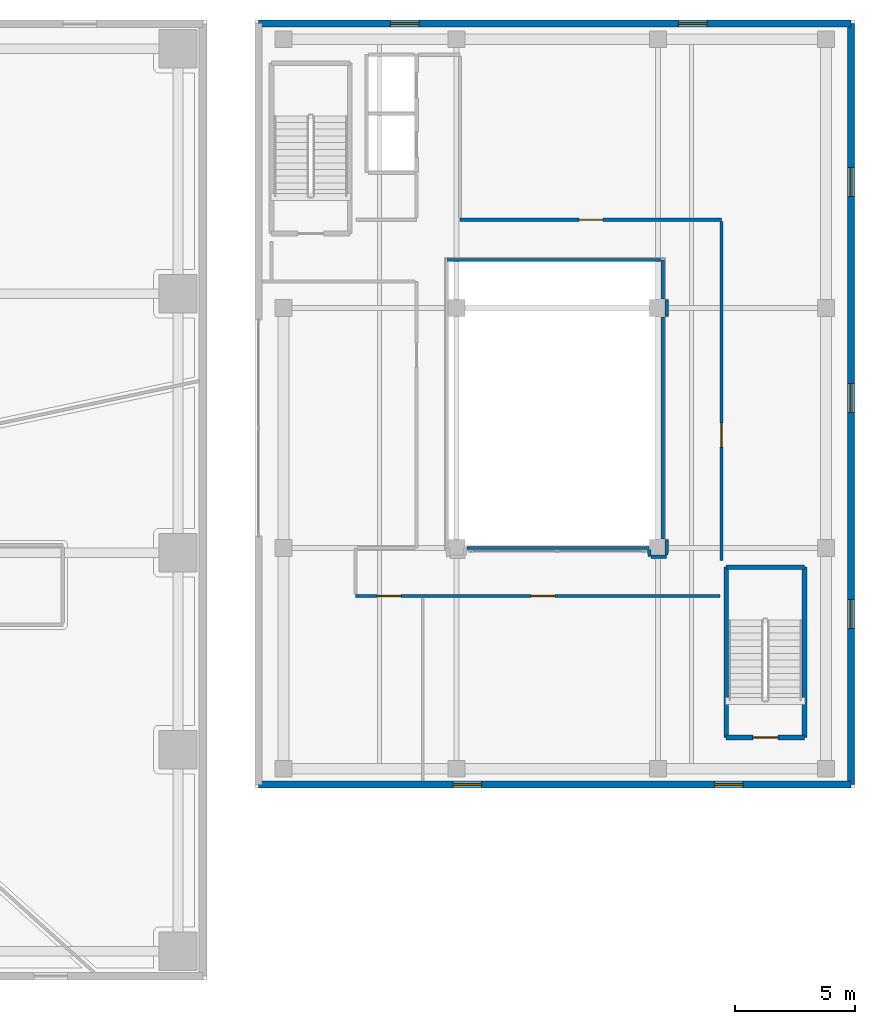
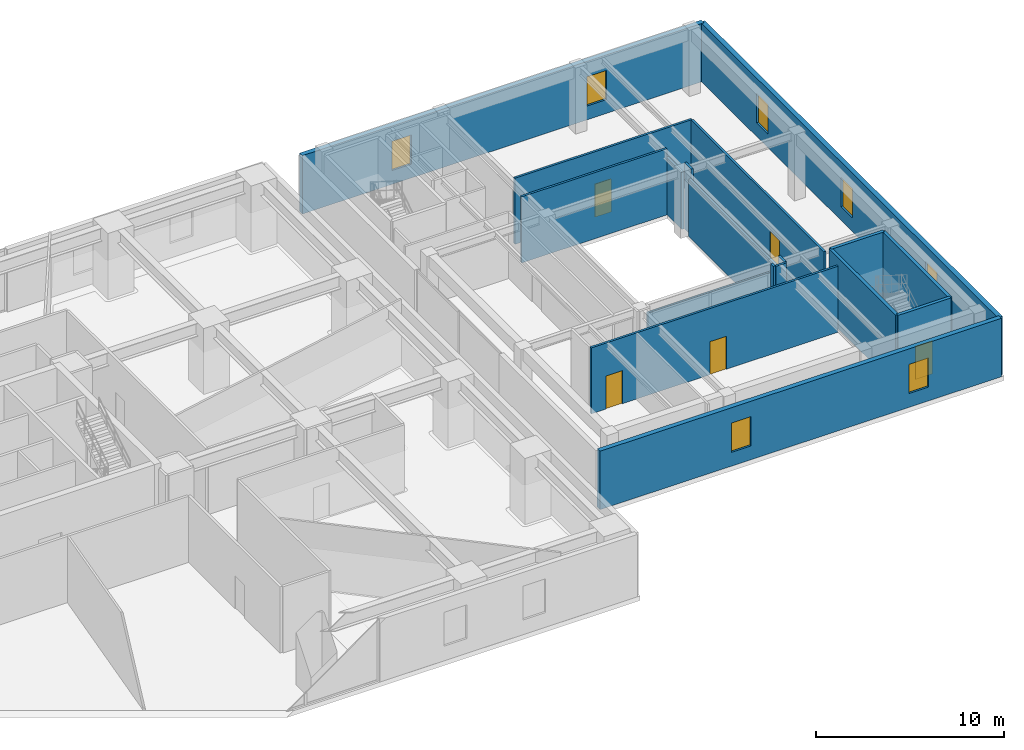
# One storey, part 20 of 24: 18 walls, 7 windows, 5 doors, 12 openings.
"""IFC4 building model written with IfcOpenShell, lengths in metres."""

from ifc_helpers import new_model, si_unit, direction, frame, frame_2d, origin, place, context, subcontext, project, spatial, rectangle, extrude, source, transform, mapped, material, layer, layer_set, type_object, type_shapes, element, fill, save


model = new_model("IFC4")

# Units and contexts
model_context = context("Model", 3, precision=1e-05, world=origin(), true_north=direction((0.0, 1.0)))
body_context = subcontext(model_context, "Body", "Model", "MODEL_VIEW")
ifc_project = project(units=[si_unit("LENGTHUNIT", "METRE"), si_unit("AREAUNIT", "SQUARE_METRE"), si_unit("VOLUMEUNIT", "CUBIC_METRE"), si_unit("PLANEANGLEUNIT", "RADIAN"), si_unit("MASSUNIT", "GRAM", prefix="KILO")], contexts=[model_context])

# Site, building, storey
site_placement = place(None, origin())
site = spatial("IfcSite", under=ifc_project, at=site_placement, CompositionType="ELEMENT")
building_placement = place(site_placement, origin())
building = spatial("IfcBuilding", under=site, at=building_placement, Name="Talar Marvaseh", CompositionType="ELEMENT")
storey_placement = place(building_placement, frame((0.0, 0.0, 9.800048828125)))
storey = spatial("IfcBuildingStorey", under=building, at=storey_placement, Name="L02", CompositionType="ELEMENT", Elevation=9.800048828125)

# Wall, opening, door
ifc_material_1 = material(Name="Gypsum Board Partition Assembly")
ifc_layer_1 = layer(ifc_material_1, 0.135009765625)
ifc_layer_set_1 = layer_set([ifc_layer_1], Name="Gypsum Board Partition Assembly")
wall_type_1 = type_object("IfcWallType", Name="Gallery High-Acoustic Partition 135", PredefinedType="PARTITIONING", material=ifc_layer_set_1)
wall_1_placement = place(storey_placement, frame((62.550048828125, 39.679931640625, 0.0), z_axis=(0.0, 0.0, 1.0), x_axis=(1.0, 0.0, 0.0)))
wall_1 = element("IfcWall", 1, at=wall_1_placement, inside=storey, type_object=wall_type_1, Name="L02 Interior Partition Wall", PredefinedType="PARTITIONING", context=body_context, shape_type="SweptSolid", body=[
    extrude(rectangle(XDim=10.89990234375, YDim=0.135009765625, at=frame_2d((5.449951171875, 0.0))), origin(), (0.0, 0.0, 1.0), 4.300048828125),
])
opening_1_placement = place(wall_1_placement, frame((4.949951171875, 0.0, 0.0)))
opening_1 = element("IfcOpeningElement", 2, at=opening_1_placement, cuts=wall_1, Name="Opening DR-RM100", PredefinedType="OPENING", context=body_context, shape_type="SweptSolid", body=[
    extrude(rectangle(XDim=1.0, YDim=2.14990234375, at=frame_2d((0.5, 1.074951171875))), frame((0.0, 0.07763671875, 0.0), z_axis=(0.0, -1.0, 0.0), x_axis=(1.0, 0.0, 0.0)), (0.0, 0.0, 1.0), 0.155029296875),
])
ifc_material_2 = material(Name="Acoustic Engineered Oak Timber", Category="wood")
door_type_1 = type_object("IfcDoorType", Name="Corridor Fire-Rated Gallery Door 1000x2150", OperationType="NOTDEFINED", PredefinedType="DOOR", material=ifc_material_2)
shared_shape_1 = source(origin(), body_context, "Body", "SweptSolid", [
    extrude(rectangle(XDim=1.0, YDim=2.14990234375, at=frame_2d((0.5, 1.074951171875))), frame((0.0, 0.02490234375, 0.0), z_axis=(0.0, -1.0, 0.0), x_axis=(1.0, 0.0, 0.0)), (0.0, 0.0, 1.0), 0.050048828125),
])
type_shapes(door_type_1, [shared_shape_1])
door_1_placement = place(opening_1_placement, origin())
door_1 = element("IfcDoor", 3, at=door_1_placement, inside=storey, type_object=door_type_1, Name="L02 Market Administration Office Door", OperationType="SINGLE_SWING_LEFT", OverallHeight=2.14990234375, OverallWidth=1.0, PredefinedType="DOOR", context=body_context, shape_type="MappedRepresentation", body=[
    mapped(shared_shape_1, transform((0.0, 0.0, 0.0), x_axis=(1.0, 0.0, 0.0), y_axis=(0.0, 1.0, 0.0), z_axis=(0.0, 0.0, 1.0), scale=1.0)),
])
fill(opening_1, door_1)

wall_2_placement = place(storey_placement, frame((73.449951171875, 39.6064453125, 0.0), z_axis=(0.0, 0.0, 1.0), x_axis=(0.0, -1.0, 0.0)))
wall_2 = element("IfcWall", 4, at=wall_2_placement, inside=storey, type_object=wall_type_1, Name="L02 Interior Partition Wall", PredefinedType="PARTITIONING", context=body_context, shape_type="SweptSolid", body=[
    extrude(rectangle(XDim=14.136474609375, YDim=0.135009765625, at=frame_2d((7.068359375, 0.0))), origin(), (0.0, 0.0, 1.0), 4.300048828125),
])
opening_2_placement = place(wall_2_placement, frame((8.406494140625, 0.0, 0.0)))
opening_2 = element("IfcOpeningElement", 5, at=opening_2_placement, cuts=wall_2, Name="Opening DR-RM100", PredefinedType="OPENING", context=body_context, shape_type="SweptSolid", body=[
    extrude(rectangle(XDim=1.0, YDim=2.14990234375, at=frame_2d((0.5, 1.074951171875))), frame((0.0, 0.07763671875, 0.0), z_axis=(0.0, -1.0, 0.0), x_axis=(1.0, 0.0, 0.0)), (0.0, 0.0, 1.0), 0.155029296875),
])
door_2_placement = place(opening_2_placement, origin())
door_2 = element("IfcDoor", 6, at=door_2_placement, inside=storey, type_object=door_type_1, Name="L02 Persian Culinary Dining Hall Door", OperationType="SINGLE_SWING_RIGHT", OverallHeight=2.14990234375, OverallWidth=1.0, PredefinedType="DOOR", context=body_context, shape_type="MappedRepresentation", body=[
    mapped(shared_shape_1, transform((0.0, 0.0, 0.0), x_axis=(1.0, 0.0, 0.0), y_axis=(0.0, 1.0, 0.0), z_axis=(0.0, 0.0, 1.0), scale=1.0)),
])
fill(opening_2, door_2)

# Wall, openings, doors
wall_3_placement = place(storey_placement, frame((73.3798828125, 24.0, 0.0), z_axis=(0.0, 0.0, 1.0), x_axis=(-1.0, 0.0, 0.0)))
wall_3 = element("IfcWall", 7, at=wall_3_placement, inside=storey, type_object=wall_type_1, Name="L02 Interior Partition Wall", PredefinedType="PARTITIONING", context=body_context, shape_type="SweptSolid", body=[
    extrude(rectangle(XDim=15.179931640625, YDim=0.135009765625, at=frame_2d((7.58984375, 0.0))), origin(), (0.0, 0.0, 1.0), 4.300048828125),
])
opening_3_placement = place(wall_3_placement, frame((13.280029296875, 0.0, 0.0)))
opening_3 = element("IfcOpeningElement", 8, at=opening_3_placement, cuts=wall_3, Name="Opening DR-RM100", PredefinedType="OPENING", context=body_context, shape_type="SweptSolid", body=[
    extrude(rectangle(XDim=1.0, YDim=2.14990234375, at=frame_2d((0.5, 1.074951171875))), frame((0.0, 0.07763671875, 0.0), z_axis=(0.0, -1.0, 0.0), x_axis=(1.0, 0.0, 0.0)), (0.0, 0.0, 1.0), 0.155029296875),
])
opening_4_placement = place(wall_3_placement, frame((6.8798828125, 0.0, 0.0)))
opening_4 = element("IfcOpeningElement", 9, at=opening_4_placement, cuts=wall_3, Name="Opening DR-RM100", PredefinedType="OPENING", context=body_context, shape_type="SweptSolid", body=[
    extrude(rectangle(XDim=1.0, YDim=2.14990234375, at=frame_2d((0.5, 1.074951171875))), frame((0.0, 0.07763671875, 0.0), z_axis=(0.0, -1.0, 0.0), x_axis=(1.0, 0.0, 0.0)), (0.0, 0.0, 1.0), 0.155029296875),
])
door_3_placement = place(opening_3_placement, origin())
door_3 = element("IfcDoor", 10, at=door_3_placement, inside=storey, type_object=door_type_1, Name="L02 Ceramics and Glassware Bazaar Door", OperationType="SINGLE_SWING_LEFT", OverallHeight=2.14990234375, OverallWidth=1.0, PredefinedType="DOOR", context=body_context, shape_type="MappedRepresentation", body=[
    mapped(shared_shape_1, transform((0.0, 0.0, 0.0), x_axis=(1.0, 0.0, 0.0), y_axis=(0.0, 1.0, 0.0), z_axis=(0.0, 0.0, 1.0), scale=1.0)),
])
fill(opening_3, door_3)
door_4_placement = place(opening_4_placement, origin())
door_4 = element("IfcDoor", 11, at=door_4_placement, inside=storey, type_object=door_type_1, Name="L02 Jewelry Artisan Studio Door", OperationType="SINGLE_SWING_RIGHT", OverallHeight=2.14990234375, OverallWidth=1.0, PredefinedType="DOOR", context=body_context, shape_type="MappedRepresentation", body=[
    mapped(shared_shape_1, transform((0.0, 0.0, 0.0), x_axis=(1.0, 0.0, 0.0), y_axis=(0.0, 1.0, 0.0), z_axis=(0.0, 0.0, 1.0), scale=1.0)),
])
fill(opening_4, door_4)

# Walls
wall_4_placement = place(storey_placement, frame((62.83837890625, 26.0, 0.0), z_axis=(0.0, 0.0, 1.0), x_axis=(1.0, 0.0, 0.0)))
element("IfcWall", 12, at=wall_4_placement, inside=storey, type_object=wall_type_1, Name="L02 Interior Partition Wall", PredefinedType="PARTITIONING", context=body_context, shape_type="SweptSolid", body=[
    extrude(rectangle(XDim=7.5966796875, YDim=0.135009765625, at=frame_2d((3.79833984375, 0.0))), origin(), (0.0, 0.0, 1.0), 3.73095703125),
])
wall_5_placement = place(storey_placement, frame((70.4365234375, 25.926513671875, 0.0), z_axis=(0.0, 0.0, 1.0), x_axis=(0.021898706873, -0.999760194565, 0.0)))
element("IfcWall", 13, at=wall_5_placement, inside=storey, type_object=wall_type_1, Name="L02 Interior Partition Wall", PredefinedType="PARTITIONING", context=body_context, shape_type="SweptSolid", body=[
    extrude(rectangle(XDim=0.289794921875, YDim=0.135009765625, at=frame_2d((0.14501953125, 0.0))), origin(), (0.0, 0.0, 1.0), 4.300048828125),
])
for number, where, z_axis, x_axis, name in (
    (14, (70.516357421875, 25.63671875, 0.0), (0.0, 0.0, 1.0), (0.999999348925, 0.001141117553, 0.0), "L02 Interior Partition Wall"),
    (15, (71.158935546875, 25.7109375, 0.0), (0.0, 0.0, 1.0), (0.009128565999, 0.999958333773, 0.0), "L02 Interior Partition Wall"),
):
    element("IfcWall", number, at=place(storey_placement, frame(where, z_axis=z_axis, x_axis=x_axis)), inside=storey, type_object=wall_type_1, Name=name, PredefinedType="PARTITIONING", context=body_context, shape_type="SweptSolid", body=[
        extrude(rectangle(XDim=0.641845703125, YDim=0.135009765625, at=frame_2d((0.32080078125, 0.0))), origin(), (0.0, 0.0, 1.0), 4.300048828125),
    ])
wall_6_placement = place(storey_placement, frame((71.0, 26.364990234375, 0.0), z_axis=(0.0, 0.0, 1.0), x_axis=(0.0, 1.0, 0.0)))
element("IfcWall", 16, at=wall_6_placement, inside=storey, type_object=wall_type_1, Name="L02 Interior Partition Wall", PredefinedType="PARTITIONING", context=body_context, shape_type="SweptSolid", body=[
    extrude(rectangle(XDim=9.27001953125, YDim=0.135009765625, at=frame_2d((4.635009765625, 0.0))), origin(), (0.0, 0.0, 1.0), 3.73095703125),
])
wall_7_placement = place(storey_placement, frame((71.1650390625, 35.64990234375, 0.0), z_axis=(0.0, 0.0, 1.0), x_axis=(-0.000347342806, 0.999999939676, 0.0)))
element("IfcWall", 17, at=wall_7_placement, inside=storey, type_object=wall_type_1, Name="L02 Interior Partition Wall", PredefinedType="PARTITIONING", context=body_context, shape_type="SweptSolid", body=[
    extrude(rectangle(XDim=0.702880859375, YDim=0.135009765625, at=frame_2d((0.3515625, 0.0))), origin(), (0.0, 0.0, 1.0), 4.300048828125),
])
wall_8_placement = place(storey_placement, frame((71.0, 36.364990234375, 0.0), z_axis=(0.0, 0.0, 1.0), x_axis=(0.0, 1.0, 0.0)))
element("IfcWall", 18, at=wall_8_placement, inside=storey, type_object=wall_type_1, Name="L02 Interior Partition Wall", PredefinedType="PARTITIONING", context=body_context, shape_type="SweptSolid", body=[
    extrude(rectangle(XDim=1.635009765625, YDim=0.135009765625, at=frame_2d((0.8173828125, 0.0))), origin(), (0.0, 0.0, 1.0), 3.73095703125),
])
wall_9_placement = place(storey_placement, frame((70.926513671875, 38.0, 0.0), z_axis=(0.0, 0.0, 1.0), x_axis=(-1.0, 0.0, 0.0)))
element("IfcWall", 19, at=wall_9_placement, inside=storey, type_object=wall_type_1, Name="L02 Interior Partition Wall", PredefinedType="PARTITIONING", context=body_context, shape_type="SweptSolid", body=[
    extrude(rectangle(XDim=8.926513671875, YDim=0.135009765625, at=frame_2d((4.46337890625, 0.0))), origin(), (0.0, 0.0, 1.0), 4.300048828125),
])

# Wall, openings, windows
ifc_material_3 = material(Name="Precast concrete C45/55", Category="concrete")
ifc_layer_2 = layer(ifc_material_3, 0.2900390625)
ifc_layer_set_2 = layer_set([ifc_layer_2], Name="Precast concrete C45/55")
wall_type_2 = type_object("IfcWallType", Name="Market Hall Precast Limestone Bazaar Wall 290", PredefinedType="SOLIDWALL", material=ifc_layer_set_2)
wall_10_placement = place(storey_placement, frame((78.85009765625, 16.14990234375, 0.0), z_axis=(0.0, 0.0, 1.0), x_axis=(-1.0, 0.0, 0.0)))
wall_10 = element("IfcWall", 20, at=wall_10_placement, inside=storey, type_object=wall_type_2, Name="L02 Market Hall South Forecourt Wall", PredefinedType="SOLIDWALL", context=body_context, shape_type="SweptSolid", body=[
    extrude(rectangle(XDim=24.7001953125, YDim=0.2900390625, at=frame_2d((12.35009765625, 0.0))), origin(), (0.0, 0.0, 1.0), 3.800048828125),
])
opening_5_placement = place(wall_10_placement, frame((4.5, 0.0, 0.89990234375)))
opening_5 = element("IfcOpeningElement", 21, at=opening_5_placement, cuts=wall_10, Name="Opening WN-MKT12", PredefinedType="OPENING", context=body_context, shape_type="SweptSolid", body=[
    extrude(rectangle(XDim=1.199951171875, YDim=1.89990234375, at=frame_2d((0.60009765625, 0.949951171875))), frame((0.0, 0.155029296875, 0.0), z_axis=(0.0, -1.0, 0.0), x_axis=(1.0, 0.0, 0.0)), (0.0, 0.0, 1.0), 0.31005859375),
])
opening_6_placement = place(wall_10_placement, frame((15.39990234375, 0.0, 0.89990234375)))
opening_6 = element("IfcOpeningElement", 22, at=opening_6_placement, cuts=wall_10, Name="Opening WN-MKT12", PredefinedType="OPENING", context=body_context, shape_type="SweptSolid", body=[
    extrude(rectangle(XDim=1.199951171875, YDim=1.89990234375, at=frame_2d((0.60009765625, 0.949951171875))), frame((0.0, 0.155029296875, 0.0), z_axis=(0.0, -1.0, 0.0), x_axis=(1.0, 0.0, 0.0)), (0.0, 0.0, 1.0), 0.31005859375),
])
ifc_material_4 = material(Name="Laminated Low-E Solar Glass", Category="glass")
window_type = type_object("IfcWindowType", Name="Market Hall Upper Gallery Window 1200x1900", PartitioningType="SINGLE_PANEL", PredefinedType="WINDOW", material=ifc_material_4)
shared_shape_2 = source(origin(), body_context, "Body", "SweptSolid", [
    extrude(rectangle(XDim=1.199951171875, YDim=1.89990234375, at=frame_2d((0.60009765625, 0.949951171875))), frame((0.0, 0.030029296875, 0.0), z_axis=(0.0, -1.0, 0.0), x_axis=(1.0, 0.0, 0.0)), (0.0, 0.0, 1.0), 0.06005859375),
])
type_shapes(window_type, [shared_shape_2])
window_1_placement = place(opening_5_placement, origin())
window_1 = element("IfcWindow", 23, at=window_1_placement, inside=storey, type_object=window_type, Name="L02 Market Bazaar Window", OverallHeight=1.89990234375, OverallWidth=1.199951171875, PartitioningType="SINGLE_PANEL", PredefinedType="WINDOW", context=body_context, shape_type="MappedRepresentation", body=[
    mapped(shared_shape_2, transform((0.0, 0.0, 0.0), x_axis=(1.0, 0.0, 0.0), y_axis=(0.0, 1.0, 0.0), z_axis=(0.0, 0.0, 1.0), scale=1.0)),
])
fill(opening_5, window_1)
window_2_placement = place(opening_6_placement, origin())
window_2 = element("IfcWindow", 24, at=window_2_placement, inside=storey, type_object=window_type, Name="L02 Market Bazaar Window", OverallHeight=1.89990234375, OverallWidth=1.199951171875, PartitioningType="SINGLE_PANEL", PredefinedType="WINDOW", context=body_context, shape_type="MappedRepresentation", body=[
    mapped(shared_shape_2, transform((0.0, 0.0, 0.0), x_axis=(1.0, 0.0, 0.0), y_axis=(0.0, 1.0, 0.0), z_axis=(0.0, 0.0, 1.0), scale=1.0)),
])
fill(opening_6, window_2)

wall_11_placement = place(storey_placement, frame((54.14990234375, 47.85009765625, 0.0), z_axis=(0.0, 0.0, 1.0), x_axis=(1.0, 0.0, 0.0)))
wall_11 = element("IfcWall", 25, at=wall_11_placement, inside=storey, type_object=wall_type_2, Name="L02 Market Hall North Promenade Wall", PredefinedType="SOLIDWALL", context=body_context, shape_type="SweptSolid", body=[
    extrude(rectangle(XDim=24.7001953125, YDim=0.2900390625, at=frame_2d((12.35009765625, 0.0))), origin(), (0.0, 0.0, 1.0), 3.800048828125),
])
opening_7_placement = place(wall_11_placement, frame((5.5, 0.0, 0.89990234375)))
opening_7 = element("IfcOpeningElement", 26, at=opening_7_placement, cuts=wall_11, Name="Opening WN-MKT12", PredefinedType="OPENING", context=body_context, shape_type="SweptSolid", body=[
    extrude(rectangle(XDim=1.199951171875, YDim=1.89990234375, at=frame_2d((0.60009765625, 0.949951171875))), frame((0.0, 0.155029296875, 0.0), z_axis=(0.0, -1.0, 0.0), x_axis=(1.0, 0.0, 0.0)), (0.0, 0.0, 1.0), 0.31005859375),
])
opening_8_placement = place(wall_11_placement, frame((17.5, 0.0, 0.89990234375)))
opening_8 = element("IfcOpeningElement", 27, at=opening_8_placement, cuts=wall_11, Name="Opening WN-MKT12", PredefinedType="OPENING", context=body_context, shape_type="SweptSolid", body=[
    extrude(rectangle(XDim=1.199951171875, YDim=1.89990234375, at=frame_2d((0.60009765625, 0.949951171875))), frame((0.0, 0.155029296875, 0.0), z_axis=(0.0, -1.0, 0.0), x_axis=(1.0, 0.0, 0.0)), (0.0, 0.0, 1.0), 0.31005859375),
])
window_3_placement = place(opening_7_placement, origin())
window_3 = element("IfcWindow", 28, at=window_3_placement, inside=storey, type_object=window_type, Name="L02 Market Bazaar Window", OverallHeight=1.89990234375, OverallWidth=1.199951171875, PartitioningType="SINGLE_PANEL", PredefinedType="WINDOW", context=body_context, shape_type="MappedRepresentation", body=[
    mapped(shared_shape_2, transform((0.0, 0.0, 0.0), x_axis=(1.0, 0.0, 0.0), y_axis=(0.0, 1.0, 0.0), z_axis=(0.0, 0.0, 1.0), scale=1.0)),
])
fill(opening_7, window_3)
window_4_placement = place(opening_8_placement, origin())
window_4 = element("IfcWindow", 29, at=window_4_placement, inside=storey, type_object=window_type, Name="L02 Market Bazaar Window", OverallHeight=1.89990234375, OverallWidth=1.199951171875, PartitioningType="SINGLE_PANEL", PredefinedType="WINDOW", context=body_context, shape_type="MappedRepresentation", body=[
    mapped(shared_shape_2, transform((0.0, 0.0, 0.0), x_axis=(1.0, 0.0, 0.0), y_axis=(0.0, 1.0, 0.0), z_axis=(0.0, 0.0, 1.0), scale=1.0)),
])
fill(opening_8, window_4)

wall_12_placement = place(storey_placement, frame((78.85009765625, 47.85009765625, 0.0), z_axis=(0.0, 0.0, 1.0), x_axis=(0.0, -1.0, 0.0)))
wall_12 = element("IfcWall", 30, at=wall_12_placement, inside=storey, type_object=wall_type_2, Name="L02 Market Hall East Facade Wall", PredefinedType="SOLIDWALL", context=body_context, shape_type="SweptSolid", body=[
    extrude(rectangle(XDim=31.7001953125, YDim=0.2900390625, at=frame_2d((15.85009765625, 0.0))), origin(), (0.0, 0.0, 1.0), 3.800048828125),
])
opening_9_placement = place(wall_12_placement, frame((6.0, 0.0, 0.89990234375)))
opening_9 = element("IfcOpeningElement", 31, at=opening_9_placement, cuts=wall_12, Name="Opening WN-MKT12", PredefinedType="OPENING", context=body_context, shape_type="SweptSolid", body=[
    extrude(rectangle(XDim=1.199951171875, YDim=1.89990234375, at=frame_2d((0.60009765625, 0.949951171875))), frame((0.0, 0.155029296875, 0.0), z_axis=(0.0, -1.0, 0.0), x_axis=(1.0, 0.0, 0.0)), (0.0, 0.0, 1.0), 0.31005859375),
])
opening_10_placement = place(wall_12_placement, frame((15.0, 0.0, 0.89990234375)))
opening_10 = element("IfcOpeningElement", 32, at=opening_10_placement, cuts=wall_12, Name="Opening WN-MKT12", PredefinedType="OPENING", context=body_context, shape_type="SweptSolid", body=[
    extrude(rectangle(XDim=1.199951171875, YDim=1.89990234375, at=frame_2d((0.60009765625, 0.949951171875))), frame((0.0, 0.155029296875, 0.0), z_axis=(0.0, -1.0, 0.0), x_axis=(1.0, 0.0, 0.0)), (0.0, 0.0, 1.0), 0.31005859375),
])
opening_11_placement = place(wall_12_placement, frame((24.0, 0.0, 0.89990234375)))
opening_11 = element("IfcOpeningElement", 33, at=opening_11_placement, cuts=wall_12, Name="Opening WN-MKT12", PredefinedType="OPENING", context=body_context, shape_type="SweptSolid", body=[
    extrude(rectangle(XDim=1.199951171875, YDim=1.89990234375, at=frame_2d((0.60009765625, 0.949951171875))), frame((0.0, 0.155029296875, 0.0), z_axis=(0.0, -1.0, 0.0), x_axis=(1.0, 0.0, 0.0)), (0.0, 0.0, 1.0), 0.31005859375),
])
window_5_placement = place(opening_9_placement, origin())
window_5 = element("IfcWindow", 34, at=window_5_placement, inside=storey, type_object=window_type, Name="L02 Market Bazaar Window", OverallHeight=1.89990234375, OverallWidth=1.199951171875, PartitioningType="SINGLE_PANEL", PredefinedType="WINDOW", context=body_context, shape_type="MappedRepresentation", body=[
    mapped(shared_shape_2, transform((0.0, 0.0, 0.0), x_axis=(1.0, 0.0, 0.0), y_axis=(0.0, 1.0, 0.0), z_axis=(0.0, 0.0, 1.0), scale=1.0)),
])
fill(opening_9, window_5)
window_6_placement = place(opening_10_placement, origin())
window_6 = element("IfcWindow", 35, at=window_6_placement, inside=storey, type_object=window_type, Name="L02 Market Bazaar Window", OverallHeight=1.89990234375, OverallWidth=1.199951171875, PartitioningType="SINGLE_PANEL", PredefinedType="WINDOW", context=body_context, shape_type="MappedRepresentation", body=[
    mapped(shared_shape_2, transform((0.0, 0.0, 0.0), x_axis=(1.0, 0.0, 0.0), y_axis=(0.0, 1.0, 0.0), z_axis=(0.0, 0.0, 1.0), scale=1.0)),
])
fill(opening_10, window_6)
window_7_placement = place(opening_11_placement, origin())
window_7 = element("IfcWindow", 36, at=window_7_placement, inside=storey, type_object=window_type, Name="L02 Market Bazaar Window", OverallHeight=1.89990234375, OverallWidth=1.199951171875, PartitioningType="SINGLE_PANEL", PredefinedType="WINDOW", context=body_context, shape_type="MappedRepresentation", body=[
    mapped(shared_shape_2, transform((0.0, 0.0, 0.0), x_axis=(1.0, 0.0, 0.0), y_axis=(0.0, 1.0, 0.0), z_axis=(0.0, 0.0, 1.0), scale=1.0)),
])
fill(opening_11, window_7)

# Wall, opening, door
ifc_material_5 = material(Name="Concrete C50/60", Category="concrete")
ifc_layer_3 = layer(ifc_material_5, 0.199951171875)
ifc_layer_set_3 = layer_set([ifc_layer_3], Name="Concrete C50/60")
wall_type_3 = type_object("IfcWallType", Name="Stair Shaft Structural Concrete Shear Wall 200", PredefinedType="SHEAR", material=ifc_layer_set_3)
wall_13_placement = place(storey_placement, frame((76.89990234375, 18.10009765625, 0.0), z_axis=(0.0, 0.0, 1.0), x_axis=(-1.0, 0.0, 0.0)))
wall_13 = element("IfcWall", 37, at=wall_13_placement, inside=storey, type_object=wall_type_3, Name="L02 MH-ST2 South Shear Wall", PredefinedType="SHEAR", context=body_context, shape_type="SweptSolid", body=[
    extrude(rectangle(XDim=3.260009765625, YDim=0.199951171875, at=frame_2d((1.6298828125, 0.0))), origin(), (0.0, 0.0, 1.0), 4.599853515625),
])
opening_12_placement = place(wall_13_placement, frame((1.10009765625, 0.0, 0.0)))
opening_12 = element("IfcOpeningElement", 38, at=opening_12_placement, cuts=wall_13, Name="Opening DR-ST105", PredefinedType="OPENING", context=body_context, shape_type="SweptSolid", body=[
    extrude(rectangle(XDim=1.050048828125, YDim=2.14990234375, at=frame_2d((0.52490234375, 1.074951171875))), frame((0.0, 0.10986328125, 0.0), z_axis=(0.0, -1.0, 0.0), x_axis=(1.0, 0.0, 0.0)), (0.0, 0.0, 1.0), 0.219970703125),
])
ifc_material_6 = material(Name="Fire-Rated Steel Door Leaf", Category="steel")
door_type_2 = type_object("IfcDoorType", Name="Protected Exit Stair Fire Door 1050x2150", OperationType="NOTDEFINED", PredefinedType="DOOR", material=ifc_material_6)
shared_shape_3 = source(origin(), body_context, "Body", "SweptSolid", [
    extrude(rectangle(XDim=1.050048828125, YDim=2.14990234375, at=frame_2d((0.52490234375, 1.074951171875))), frame((0.0, 0.02490234375, 0.0), z_axis=(0.0, -1.0, 0.0), x_axis=(1.0, 0.0, 0.0)), (0.0, 0.0, 1.0), 0.050048828125),
])
type_shapes(door_type_2, [shared_shape_3])
door_5_placement = place(opening_12_placement, origin())
door_5 = element("IfcDoor", 39, at=door_5_placement, inside=storey, type_object=door_type_2, Name="L02 MH-ST2 Exit Door", OperationType="SINGLE_SWING_LEFT", OverallHeight=2.14990234375, OverallWidth=1.050048828125, PredefinedType="DOOR", context=body_context, shape_type="MappedRepresentation", body=[
    mapped(shared_shape_3, transform((0.0, 0.0, 0.0), x_axis=(1.0, 0.0, 0.0), y_axis=(0.0, 1.0, 0.0), z_axis=(0.0, 0.0, 1.0), scale=1.0)),
])
fill(opening_12, door_5)

# Walls
wall_14_placement = place(storey_placement, frame((73.639892578125, 25.199951171875, 0.0), z_axis=(0.0, 0.0, 1.0), x_axis=(1.0, 0.0, 0.0)))
element("IfcWall", 40, at=wall_14_placement, inside=storey, type_object=wall_type_3, Name="L02 MH-ST2 North Shear Wall", PredefinedType="SHEAR", context=body_context, shape_type="SweptSolid", body=[
    extrude(rectangle(XDim=3.260009765625, YDim=0.199951171875, at=frame_2d((1.6298828125, 0.0))), origin(), (0.0, 0.0, 1.0), 4.599853515625),
])
for number, where, z_axis, x_axis, name in (
    (41, (73.639892578125, 18.10009765625, 0.0), (0.0, 0.0, 1.0), (0.0, 1.0, 0.0), "L02 MH-ST2 West Shear Wall"),
    (42, (76.89990234375, 18.10009765625, 0.0), (0.0, 0.0, 1.0), (0.0, 1.0, 0.0), "L02 MH-ST2 East Shear Wall"),
):
    element("IfcWall", number, at=place(storey_placement, frame(where, z_axis=z_axis, x_axis=x_axis)), inside=storey, type_object=wall_type_3, Name=name, PredefinedType="SHEAR", context=body_context, shape_type="SweptSolid", body=[
        extrude(rectangle(XDim=7.099853515625, YDim=0.199951171875, at=frame_2d((3.5498046875, 0.0))), origin(), (0.0, 0.0, 1.0), 4.599853515625),
    ])

save(model, "model.ifc")
